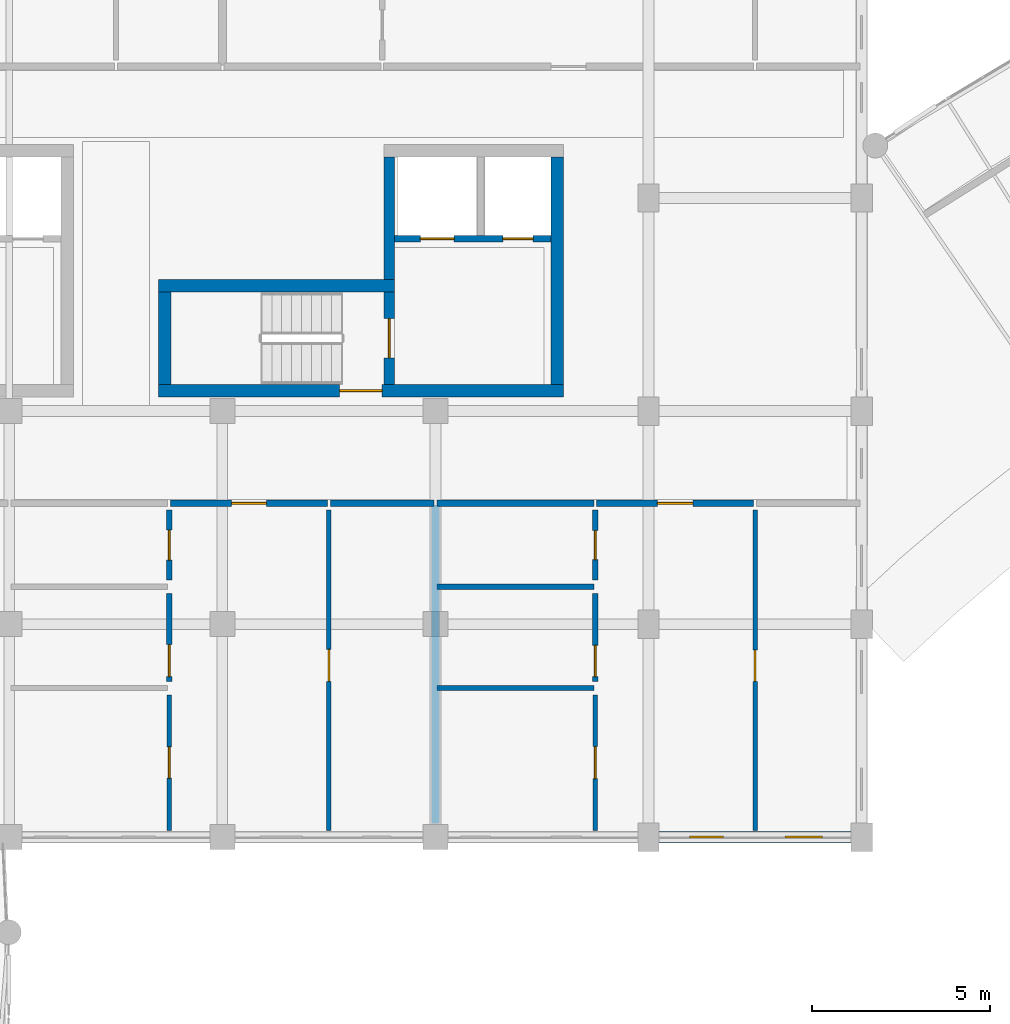
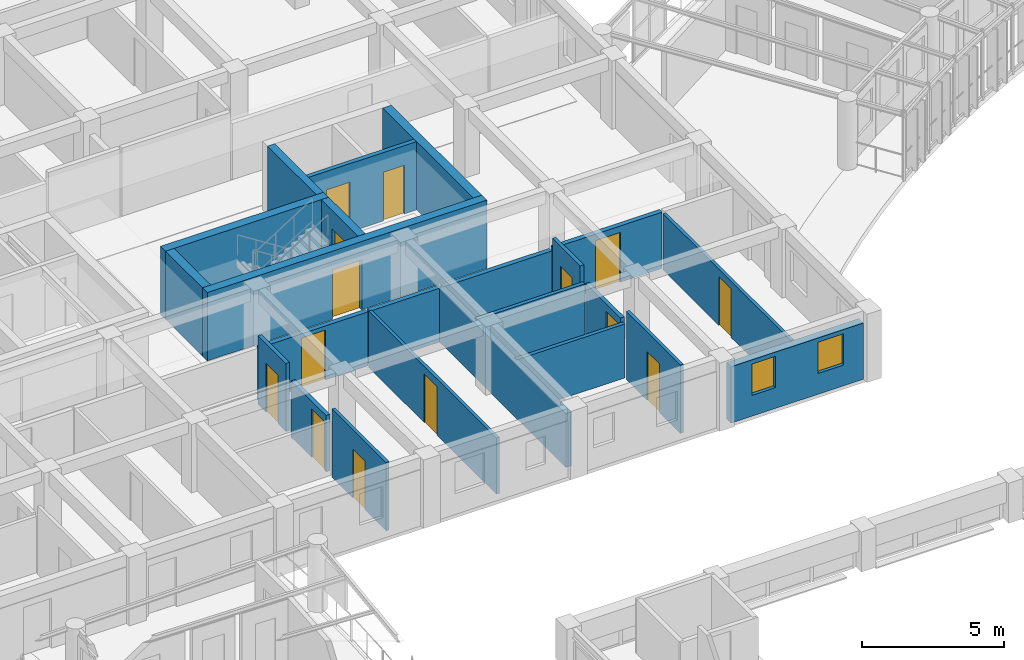
# One storey, part 103 of 137: 23 walls, 14 doors, 2 windows, 16 openings.
"""IFC4 building model written with IfcOpenShell, lengths in metres."""

from ifc_helpers import new_model, si_unit, direction, frame, frame_2d, origin, place, context, subcontext, project, spatial, rectangle, extrude, material, layer, layer_set, type_object, element, fill, save


model = new_model("IFC4")

# Units and contexts
model_context = context("Model", 3, precision=1e-05, world=origin(), true_north=direction((0.0, 1.0)))
body_context = subcontext(model_context, "Body", "Model", "MODEL_VIEW")
ifc_project = project(units=[si_unit("LENGTHUNIT", "METRE"), si_unit("AREAUNIT", "SQUARE_METRE"), si_unit("VOLUMEUNIT", "CUBIC_METRE"), si_unit("PLANEANGLEUNIT", "RADIAN"), si_unit("MASSUNIT", "GRAM", prefix="KILO"), si_unit("POWERUNIT", "WATT"), si_unit("THERMODYNAMICTEMPERATUREUNIT", "KELVIN")], contexts=[model_context])

# Site, building, storey
site_placement = place(None, origin())
site = spatial("IfcSite", under=ifc_project, at=site_placement, CompositionType="ELEMENT")
building_placement = place(site_placement, origin())
building = spatial("IfcBuilding", under=site, at=building_placement, Name="Ruvembo Vaulted Housing Court", CompositionType="ELEMENT")
storey_placement = place(building_placement, frame((0.0, 0.0, 4.5)))
storey = spatial("IfcBuildingStorey", under=building, at=storey_placement, Name="L01", CompositionType="ELEMENT", Elevation=4.5)

# Wall, opening, door
ifc_material_1 = material(Name="Concrete C35/45", Category="concrete")
ifc_layer_1 = layer(ifc_material_1, 0.300048828125, Name="Concrete C35/45")
ifc_layer_set_1 = layer_set([ifc_layer_1], Name="Concrete C35/45")
wall_type_1 = type_object("IfcWallType", Name="WL-CORE-300", PredefinedType="SHEAR", material=ifc_layer_set_1)
wall_1_placement = place(storey_placement, frame((70.699951171875, 90.75, 0.0), z_axis=(0.0, 0.0, 1.0), x_axis=(0.0, 1.0, 0.0)))
wall_1 = element("IfcWall", 1, at=wall_1_placement, inside=storey, type_object=wall_type_1, Name="Core B2 L01 Stair-Lobby Shear Wall", PredefinedType="SHEAR", context=body_context, shape_type="SweptSolid", body=[
    extrude(rectangle(XDim=2.60009765625, YDim=0.300048828125, at=frame_2d((1.300048828125, 0.0))), origin(), (0.0, 0.0, 1.0), 2.945068359375),
])
opening_1_placement = place(wall_1_placement, frame((0.75, 0.0, 0.0)))
opening_1 = element("IfcOpeningElement", 2, at=opening_1_placement, cuts=wall_1, Name="Opening SD2", PredefinedType="OPENING", context=body_context, shape_type="SweptSolid", body=[
    extrude(rectangle(XDim=1.10009765625, YDim=2.14990234375, at=frame_2d((0.550048828125, 1.074951171875))), frame((0.0, 0.159912109375, 0.0), z_axis=(0.0, -1.0, 0.0), x_axis=(1.0, 0.0, 0.0)), (0.0, 0.0, 1.0), 0.320068359375),
])
ifc_material_2 = material(Name="Galvanised Painted Steel", Category="steel")
door_type_1 = type_object("IfcDoorType", Name="DR-STAIR-1100x2150", OperationType="NOTDEFINED", PredefinedType="DOOR", material=ifc_material_2)
door_1_placement = place(opening_1_placement, origin())
door_1 = element("IfcDoor", 3, at=door_1_placement, inside=storey, type_object=door_type_1, Name="Stair ST-B2 L01 Fire Door", OperationType="SINGLE_SWING_LEFT", OverallHeight=2.14990234375, OverallWidth=1.10009765625, PredefinedType="DOOR", context=body_context, shape_type="SweptSolid", body=[
    extrude(rectangle(XDim=1.10009765625, YDim=2.14990234375, at=frame_2d((0.550048828125, 1.074951171875))), frame((0.0, 0.02490234375, 0.0), z_axis=(0.0, -1.0, 0.0), x_axis=(1.0, 0.0, 0.0)), (0.0, 0.0, 1.0), 0.050048828125),
])
fill(opening_1, door_1)

# Wall
wall_2_placement = place(storey_placement, frame((70.699951171875, 93.699951171875, 0.0), z_axis=(0.0, 0.0, 1.0), x_axis=(0.0, 1.0, 0.0)))
element("IfcWall", 4, at=wall_2_placement, inside=storey, type_object=wall_type_1, Name="Core B2 L01 Upper West Shear Wall", PredefinedType="SHEAR", context=body_context, shape_type="SweptSolid", body=[
    extrude(rectangle(XDim=3.449951171875, YDim=0.300048828125, at=frame_2d((1.72509765625, 0.0))), origin(), (0.0, 0.0, 1.0), 2.945068359375),
])

# Wall, opening, door
ifc_layer_2 = layer(ifc_material_1, 0.35009765625, Name="Concrete C35/45")
ifc_layer_set_2 = layer_set([ifc_layer_2], Name="Concrete C35/45")
wall_type_2 = type_object("IfcWallType", Name="WL-CORE-350", PredefinedType="SHEAR", material=ifc_layer_set_2)
wall_3_placement = place(storey_placement, frame((64.199951171875, 90.574951171875, 0.0), z_axis=(0.0, 0.0, 1.0), x_axis=(1.0, 0.0, 0.0)))
wall_3 = element("IfcWall", 5, at=wall_3_placement, inside=storey, type_object=wall_type_2, Name="Core B2 L01 South Shear Wall", PredefinedType="SHEAR", context=body_context, shape_type="SweptSolid", body=[
    extrude(rectangle(XDim=11.400146484375, YDim=0.35009765625, at=frame_2d((5.7001953125, 0.0))), origin(), (0.0, 0.0, 1.0), 2.945068359375),
])
opening_2_placement = place(wall_3_placement, frame((5.10009765625, 0.0, 0.0)))
opening_2 = element("IfcOpeningElement", 6, at=opening_2_placement, cuts=wall_3, Name="Opening LD3", PredefinedType="OPENING", context=body_context, shape_type="SweptSolid", body=[
    extrude(rectangle(XDim=1.199951171875, YDim=2.14990234375, at=frame_2d((0.60009765625, 1.074951171875))), frame((0.0, 0.18505859375, 0.0), z_axis=(0.0, -1.0, 0.0), x_axis=(1.0, 0.0, 0.0)), (0.0, 0.0, 1.0), 0.3701171875),
])
door_type_2 = type_object("IfcDoorType", Name="DR-LOB-1200x2150", OperationType="NOTDEFINED", PredefinedType="DOOR", material=ifc_material_2)
door_2_placement = place(opening_2_placement, origin())
door_2 = element("IfcDoor", 7, at=door_2_placement, inside=storey, type_object=door_type_2, Name="Core B2 L01 Lobby Fire Door", OperationType="SINGLE_SWING_RIGHT", OverallHeight=2.14990234375, OverallWidth=1.199951171875, PredefinedType="DOOR", context=body_context, shape_type="SweptSolid", body=[
    extrude(rectangle(XDim=1.199951171875, YDim=2.14990234375, at=frame_2d((0.60009765625, 1.074951171875))), frame((0.0, 0.02490234375, 0.0), z_axis=(0.0, -1.0, 0.0), x_axis=(1.0, 0.0, 0.0)), (0.0, 0.0, 1.0), 0.050048828125),
])
fill(opening_2, door_2)

# Walls
wall_4_placement = place(storey_placement, frame((70.85009765625, 93.52490234375, 0.0), z_axis=(0.0, 0.0, 1.0), x_axis=(-1.0, 0.0, 0.0)))
element("IfcWall", 8, at=wall_4_placement, inside=storey, type_object=wall_type_2, Name="Core B2 L01 Stair North Shear Wall", PredefinedType="SHEAR", context=body_context, shape_type="SweptSolid", body=[
    extrude(rectangle(XDim=6.650146484375, YDim=0.35009765625, at=frame_2d((3.3251953125, 0.0))), origin(), (0.0, 0.0, 1.0), 2.945068359375),
])
wall_5_placement = place(storey_placement, frame((64.375, 93.35009765625, 0.0), z_axis=(0.0, 0.0, 1.0), x_axis=(0.0, -1.0, 0.0)))
element("IfcWall", 9, at=wall_5_placement, inside=storey, type_object=wall_type_2, Name="Core B2 L01 Stair West Shear Wall", PredefinedType="SHEAR", context=body_context, shape_type="SweptSolid", body=[
    extrude(rectangle(XDim=2.60009765625, YDim=0.35009765625, at=frame_2d((1.300048828125, 0.0))), origin(), (0.0, 0.0, 1.0), 2.945068359375),
])
wall_6_placement = place(storey_placement, frame((75.425048828125, 90.75, 0.0), z_axis=(0.0, 0.0, 1.0), x_axis=(0.0, 1.0, 0.0)))
element("IfcWall", 10, at=wall_6_placement, inside=storey, type_object=wall_type_2, Name="Core B2 L01 East Shear Wall", PredefinedType="SHEAR", context=body_context, shape_type="SweptSolid", body=[
    extrude(rectangle(XDim=6.39990234375, YDim=0.35009765625, at=frame_2d((3.199951171875, 0.0))), origin(), (0.0, 0.0, 1.0), 2.945068359375),
])

# Wall, opening, door
ifc_material_3 = material(Name="Concrete Blockwork 190", Category="masonry")
ifc_layer_3 = layer(ifc_material_3, 0.18994140625, Name="Concrete Blockwork 190")
ifc_layer_set_3 = layer_set([ifc_layer_3], Name="Concrete Blockwork 190")
wall_type_3 = type_object("IfcWallType", Name="WL-CORR-190", PredefinedType="SOLIDWALL", material=ifc_layer_set_3)
wall_7_placement = place(storey_placement, frame((64.5400390625, 87.39990234375, 0.0), z_axis=(0.0, 0.0, 1.0), x_axis=(1.0, 0.0, 0.0)))
wall_7 = element("IfcWall", 11, at=wall_7_placement, inside=storey, type_object=wall_type_3, Name="L01 Flat B-L01-S2 Entrance WL-INT-L01-00238", PredefinedType="SOLIDWALL", context=body_context, shape_type="SweptSolid", body=[
    extrude(rectangle(XDim=4.419921875, YDim=0.18994140625, at=frame_2d((2.2099609375, 0.0))), origin(), (0.0, 0.0, 1.0), 2.326904296875),
])
opening_3_placement = place(wall_7_placement, frame((1.719970703125, 0.0, 0.0)))
opening_3 = element("IfcOpeningElement", 12, at=opening_3_placement, cuts=wall_7, Name="Opening FD2", PredefinedType="OPENING", context=body_context, shape_type="SweptSolid", body=[
    extrude(rectangle(XDim=0.97998046875, YDim=2.14990234375, at=frame_2d((0.489990234375, 1.074951171875))), frame((0.0, 0.10498046875, 0.0), z_axis=(0.0, -1.0, 0.0), x_axis=(1.0, 0.0, 0.0)), (0.0, 0.0, 1.0), 0.2099609375),
])
ifc_material_4 = material(Name="FSC Hardwood and Engineered Timber", Category="wood")
door_type_3 = type_object("IfcDoorType", Name="DR-FLAT-0980x2150", OperationType="NOTDEFINED", PredefinedType="DOOR", material=ifc_material_4)
door_3_placement = place(opening_3_placement, origin())
door_3 = element("IfcDoor", 13, at=door_3_placement, inside=storey, type_object=door_type_3, Name="L01 Flat B-L01-S2 Entrance Door DR-INT-L01-00118", OperationType="SINGLE_SWING_RIGHT", OverallHeight=2.14990234375, OverallWidth=0.97998046875, PredefinedType="DOOR", context=body_context, shape_type="SweptSolid", body=[
    extrude(rectangle(XDim=0.97998046875, YDim=2.14990234375, at=frame_2d((0.489990234375, 1.074951171875))), frame((0.0, 0.02490234375, 0.0), z_axis=(0.0, -1.0, 0.0), x_axis=(1.0, 0.0, 0.0)), (0.0, 0.0, 1.0), 0.050048828125),
])
fill(opening_3, door_3)

# Walls
wall_8_placement = place(storey_placement, frame((69.0400390625, 87.39990234375, 0.0), z_axis=(0.0, 0.0, 1.0), x_axis=(1.0, 0.0, 0.0)))
element("IfcWall", 14, at=wall_8_placement, inside=storey, type_object=wall_type_3, Name="L01 Flat B-L01-S2 Corridor Wall 2 WL-INT-L01-00244", PredefinedType="SOLIDWALL", context=body_context, shape_type="SweptSolid", body=[
    extrude(rectangle(XDim=2.919921875, YDim=0.18994140625, at=frame_2d((1.4599609375, 0.0))), origin(), (0.0, 0.0, 1.0), 2.326904296875),
])
wall_9_placement = place(storey_placement, frame((72.0400390625, 87.39990234375, 0.0), z_axis=(0.0, 0.0, 1.0), x_axis=(1.0, 0.0, 0.0)))
element("IfcWall", 15, at=wall_9_placement, inside=storey, type_object=wall_type_3, Name="L01 Flat B-L01-S3 Corridor Wall WL-INT-L01-00246", PredefinedType="SOLIDWALL", context=body_context, shape_type="SweptSolid", body=[
    extrude(rectangle(XDim=4.419921875, YDim=0.18994140625, at=frame_2d((2.2099609375, 0.0))), origin(), (0.0, 0.0, 1.0), 2.326904296875),
])

# Wall, opening, door
wall_10_placement = place(storey_placement, frame((76.5400390625, 87.39990234375, 0.0), z_axis=(0.0, 0.0, 1.0), x_axis=(1.0, 0.0, 0.0)))
wall_10 = element("IfcWall", 16, at=wall_10_placement, inside=storey, type_object=wall_type_3, Name="L01 Flat B-L01-S3 Entrance WL-INT-L01-00247", PredefinedType="SOLIDWALL", context=body_context, shape_type="SweptSolid", body=[
    extrude(rectangle(XDim=4.419921875, YDim=0.18994140625, at=frame_2d((2.2099609375, 0.0))), origin(), (0.0, 0.0, 1.0), 2.427001953125),
])
opening_4_placement = place(wall_10_placement, frame((1.7099609375, 0.0, 0.0)))
opening_4 = element("IfcOpeningElement", 17, at=opening_4_placement, cuts=wall_10, Name="Opening FD1", PredefinedType="OPENING", context=body_context, shape_type="SweptSolid", body=[
    extrude(rectangle(XDim=1.0, YDim=2.14990234375, at=frame_2d((0.5, 1.074951171875))), frame((0.0, 0.10498046875, 0.0), z_axis=(0.0, -1.0, 0.0), x_axis=(1.0, 0.0, 0.0)), (0.0, 0.0, 1.0), 0.2099609375),
])
door_type_4 = type_object("IfcDoorType", Name="DR-FLAT-1000x2150", OperationType="NOTDEFINED", PredefinedType="DOOR", material=ifc_material_4)
door_4_placement = place(opening_4_placement, origin())
door_4 = element("IfcDoor", 18, at=door_4_placement, inside=storey, type_object=door_type_4, Name="L01 Flat B-L01-S3 Entrance Door DR-INT-L01-00123", OperationType="SINGLE_SWING_LEFT", OverallHeight=2.14990234375, OverallWidth=1.0, PredefinedType="DOOR", context=body_context, shape_type="SweptSolid", body=[
    extrude(rectangle(XDim=1.0, YDim=2.14990234375, at=frame_2d((0.5, 1.074951171875))), frame((0.0, 0.02490234375, 0.0), z_axis=(0.0, -1.0, 0.0), x_axis=(1.0, 0.0, 0.0)), (0.0, 0.0, 1.0), 0.050048828125),
])
fill(opening_4, door_4)

# Wall
ifc_material_5 = material(Name="Acoustic Masonry Demising 230", Category="masonry")
ifc_layer_4 = layer(ifc_material_5, 0.22998046875, Name="Acoustic Masonry Demising 230")
ifc_layer_set_4 = layer_set([ifc_layer_4], Name="Acoustic Masonry Demising 230")
wall_type_4 = type_object("IfcWallType", Name="WL-DEM-230", PredefinedType="SOLIDWALL", material=ifc_layer_set_4)
wall_11_placement = place(storey_placement, frame((72.0, 78.389892578125, 0.0), z_axis=(0.0, 0.0, 1.0), x_axis=(0.0, 1.0, 0.0)))
element("IfcWall", 19, at=wall_11_placement, inside=storey, type_object=wall_type_4, Name="L01 Demising B-L01-S2 WL-INT-L01-00236", PredefinedType="SOLIDWALL", context=body_context, shape_type="SweptSolid", body=[
    extrude(rectangle(XDim=8.97021484375, YDim=0.22998046875, at=frame_2d((4.485107421875, 0.0))), origin(), (0.0, 0.0, 1.0), 2.326904296875),
])

# Wall, openings, windows
ifc_material_6 = material(Name="Rendered Masonry 320", Category="masonry")
ifc_layer_5 = layer(ifc_material_6, 0.320068359375, Name="Rendered Masonry 320")
ifc_layer_set_5 = layer_set([ifc_layer_5], Name="Rendered Masonry 320")
wall_type_5 = type_object("IfcWallType", Name="WL-EXT-320", PredefinedType="STANDARD", material=ifc_layer_set_5)
wall_12_placement = place(storey_placement, frame((78.300048828125, 78.0, 0.0), z_axis=(0.0, 0.0, 1.0), x_axis=(1.0, 0.0, 0.0)))
wall_12 = element("IfcWall", 20, at=wall_12_placement, inside=storey, type_object=wall_type_5, Name="Block B L01 Exterior Wall COURTYARD #6", PredefinedType="STANDARD", context=body_context, shape_type="SweptSolid", body=[
    extrude(rectangle(XDim=5.39990234375, YDim=0.320068359375, at=frame_2d((2.699951171875, 0.0))), origin(), (0.0, 0.0, 1.0), 2.427001953125),
])
opening_5_placement = place(wall_12_placement, frame((0.85498046875, 0.0, 0.89990234375)))
opening_5 = element("IfcOpeningElement", 21, at=opening_5_placement, cuts=wall_12, Name="Opening W07", PredefinedType="OPENING", context=body_context, shape_type="SweptSolid", body=[
    extrude(rectangle(XDim=0.949951171875, YDim=1.35009765625, at=frame_2d((0.47509765625, 0.675048828125))), frame((0.0, 0.169921875, 0.0), z_axis=(0.0, -1.0, 0.0), x_axis=(1.0, 0.0, 0.0)), (0.0, 0.0, 1.0), 0.340087890625),
])
opening_6_placement = place(wall_12_placement, frame((3.544921875, 0.0, 0.89990234375)))
opening_6 = element("IfcOpeningElement", 22, at=opening_6_placement, cuts=wall_12, Name="Opening W09", PredefinedType="OPENING", context=body_context, shape_type="SweptSolid", body=[
    extrude(rectangle(XDim=1.050048828125, YDim=1.35009765625, at=frame_2d((0.52490234375, 0.675048828125))), frame((0.0, 0.169921875, 0.0), z_axis=(0.0, -1.0, 0.0), x_axis=(1.0, 0.0, 0.0)), (0.0, 0.0, 1.0), 0.340087890625),
])
ifc_material_7 = material(Name="Double Solar-Control Glazing in Aluminium Frame", Category="aluminium")
window_type_1 = type_object("IfcWindowType", Name="WIN-0950x1350", PartitioningType="SINGLE_PANEL", PredefinedType="WINDOW", material=ifc_material_7)
window_1_placement = place(opening_5_placement, origin())
window_1 = element("IfcWindow", 23, at=window_1_placement, inside=storey, type_object=window_type_1, Name="Block B L01 Window #651", OverallHeight=1.35009765625, OverallWidth=0.949951171875, PartitioningType="SINGLE_PANEL", PredefinedType="WINDOW", context=body_context, shape_type="SweptSolid", body=[
    extrude(rectangle(XDim=0.949951171875, YDim=1.35009765625, at=frame_2d((0.47509765625, 0.675048828125))), frame((0.0, 0.030029296875, 0.0), z_axis=(0.0, -1.0, 0.0), x_axis=(1.0, 0.0, 0.0)), (0.0, 0.0, 1.0), 0.06005859375),
])
fill(opening_5, window_1)
window_type_2 = type_object("IfcWindowType", Name="WIN-1050x1350", PartitioningType="SINGLE_PANEL", PredefinedType="WINDOW", material=ifc_material_7)
window_2_placement = place(opening_6_placement, origin())
window_2 = element("IfcWindow", 24, at=window_2_placement, inside=storey, type_object=window_type_2, Name="Block B L01 Window #652", OverallHeight=1.35009765625, OverallWidth=1.050048828125, PartitioningType="SINGLE_PANEL", PredefinedType="WINDOW", context=body_context, shape_type="SweptSolid", body=[
    extrude(rectangle(XDim=1.050048828125, YDim=1.35009765625, at=frame_2d((0.52490234375, 0.675048828125))), frame((0.0, 0.030029296875, 0.0), z_axis=(0.0, -1.0, 0.0), x_axis=(1.0, 0.0, 0.0)), (0.0, 0.0, 1.0), 0.06005859375),
])
fill(opening_6, window_2)

# Wall, opening, door
ifc_material_8 = material(Name="Plasterboard Stud Partition 125", Category="gypsum")
ifc_layer_6 = layer(ifc_material_8, 0.125, Name="Plasterboard Stud Partition 125")
ifc_layer_set_6 = layer_set([ifc_layer_6], Name="Plasterboard Stud Partition 125")
wall_type_6 = type_object("IfcWallType", Name="WL-PART-125", PredefinedType="PARTITIONING", material=ifc_layer_set_6)
wall_13_placement = place(storey_placement, frame((64.5, 78.18994140625, 0.0), z_axis=(0.0, 0.0, 1.0), x_axis=(0.0, 1.0, 0.0)))
wall_13 = element("IfcWall", 25, at=wall_13_placement, inside=storey, type_object=wall_type_6, Name="L01 Flat B-L01-S2 Bedroom 1 WL-INT-L01-00239", PredefinedType="PARTITIONING", context=body_context, shape_type="SweptSolid", body=[
    extrude(rectangle(XDim=3.820068359375, YDim=0.125, at=frame_2d((1.91015625, 0.0))), origin(), (0.0, 0.0, 1.0), 2.945068359375),
])
opening_7_placement = place(wall_13_placement, frame((1.469970703125, 0.0, 0.0)))
opening_7 = element("IfcOpeningElement", 26, at=opening_7_placement, cuts=wall_13, Name="Opening ID3", PredefinedType="OPENING", context=body_context, shape_type="SweptSolid", body=[
    extrude(rectangle(XDim=0.8798828125, YDim=2.10009765625, at=frame_2d((0.43994140625, 1.050048828125))), frame((0.0, 0.072509765625, 0.0), z_axis=(0.0, -1.0, 0.0), x_axis=(1.0, 0.0, 0.0)), (0.0, 0.0, 1.0), 0.14501953125),
])
door_type_5 = type_object("IfcDoorType", Name="DR-ROOM-0880x2100", OperationType="NOTDEFINED", PredefinedType="DOOR", material=ifc_material_4)
door_5_placement = place(opening_7_placement, origin())
door_5 = element("IfcDoor", 27, at=door_5_placement, inside=storey, type_object=door_type_5, Name="L01 Flat B-L01-S2 Bedroom 1 Door DR-INT-L01-00119", OperationType="SINGLE_SWING_LEFT", OverallHeight=2.10009765625, OverallWidth=0.8798828125, PredefinedType="DOOR", context=body_context, shape_type="SweptSolid", body=[
    extrude(rectangle(XDim=0.8798828125, YDim=2.10009765625, at=frame_2d((0.43994140625, 1.050048828125))), frame((0.0, 0.02490234375, 0.0), z_axis=(0.0, -1.0, 0.0), x_axis=(1.0, 0.0, 0.0)), (0.0, 0.0, 1.0), 0.050048828125),
])
fill(opening_7, door_5)

wall_14_placement = place(storey_placement, frame((69.0, 78.18994140625, 0.0), z_axis=(0.0, 0.0, 1.0), x_axis=(0.0, 1.0, 0.0)))
wall_14 = element("IfcWall", 28, at=wall_14_placement, inside=storey, type_object=wall_type_6, Name="L01 Flat B-L01-S2 Bedroom 2 WL-INT-L01-00245", PredefinedType="PARTITIONING", context=body_context, shape_type="SweptSolid", body=[
    extrude(rectangle(XDim=9.02001953125, YDim=0.125, at=frame_2d((4.510009765625, 0.0))), origin(), (0.0, 0.0, 1.0), 2.427001953125),
])
opening_8_placement = place(wall_14_placement, frame((4.199951171875, 0.0, 0.0)))
opening_8 = element("IfcOpeningElement", 29, at=opening_8_placement, cuts=wall_14, Name="Opening ID1", PredefinedType="OPENING", context=body_context, shape_type="SweptSolid", body=[
    extrude(rectangle(XDim=0.89990234375, YDim=2.10009765625, at=frame_2d((0.449951171875, 1.050048828125))), frame((0.0, 0.072509765625, 0.0), z_axis=(0.0, -1.0, 0.0), x_axis=(1.0, 0.0, 0.0)), (0.0, 0.0, 1.0), 0.14501953125),
])
door_type_6 = type_object("IfcDoorType", Name="DR-ROOM-0900x2100", OperationType="NOTDEFINED", PredefinedType="DOOR", material=ifc_material_4)
door_6_placement = place(opening_8_placement, origin())
door_6 = element("IfcDoor", 30, at=door_6_placement, inside=storey, type_object=door_type_6, Name="L01 Flat B-L01-S2 Bedroom 2 Door DR-INT-L01-00122", OperationType="SINGLE_SWING_RIGHT", OverallHeight=2.10009765625, OverallWidth=0.89990234375, PredefinedType="DOOR", context=body_context, shape_type="SweptSolid", body=[
    extrude(rectangle(XDim=0.89990234375, YDim=2.10009765625, at=frame_2d((0.449951171875, 1.050048828125))), frame((0.0, 0.02490234375, 0.0), z_axis=(0.0, -1.0, 0.0), x_axis=(1.0, 0.0, 0.0)), (0.0, 0.0, 1.0), 0.050048828125),
])
fill(opening_8, door_6)

wall_15_placement = place(storey_placement, frame((76.5, 78.18994140625, 0.0), z_axis=(0.0, 0.0, 1.0), x_axis=(0.0, 1.0, 0.0)))
wall_15 = element("IfcWall", 31, at=wall_15_placement, inside=storey, type_object=wall_type_6, Name="L01 Flat B-L01-S3 Bedroom 1 WL-INT-L01-00248", PredefinedType="PARTITIONING", context=body_context, shape_type="SweptSolid", body=[
    extrude(rectangle(XDim=3.820068359375, YDim=0.125, at=frame_2d((1.91015625, 0.0))), origin(), (0.0, 0.0, 1.0), 2.945068359375),
])
opening_9_placement = place(wall_15_placement, frame((1.4599609375, 0.0, 0.0)))
opening_9 = element("IfcOpeningElement", 32, at=opening_9_placement, cuts=wall_15, Name="Opening ID1", PredefinedType="OPENING", context=body_context, shape_type="SweptSolid", body=[
    extrude(rectangle(XDim=0.89990234375, YDim=2.10009765625, at=frame_2d((0.449951171875, 1.050048828125))), frame((0.0, 0.072509765625, 0.0), z_axis=(0.0, -1.0, 0.0), x_axis=(1.0, 0.0, 0.0)), (0.0, 0.0, 1.0), 0.14501953125),
])
door_7_placement = place(opening_9_placement, origin())
door_7 = element("IfcDoor", 33, at=door_7_placement, inside=storey, type_object=door_type_6, Name="L01 Flat B-L01-S3 Bedroom 1 Door DR-INT-L01-00124", OperationType="SINGLE_SWING_RIGHT", OverallHeight=2.10009765625, OverallWidth=0.89990234375, PredefinedType="DOOR", context=body_context, shape_type="SweptSolid", body=[
    extrude(rectangle(XDim=0.89990234375, YDim=2.10009765625, at=frame_2d((0.449951171875, 1.050048828125))), frame((0.0, 0.02490234375, 0.0), z_axis=(0.0, -1.0, 0.0), x_axis=(1.0, 0.0, 0.0)), (0.0, 0.0, 1.0), 0.050048828125),
])
fill(opening_9, door_7)

wall_16_placement = place(storey_placement, frame((81.0, 78.18994140625, 0.0), z_axis=(0.0, 0.0, 1.0), x_axis=(0.0, 1.0, 0.0)))
wall_16 = element("IfcWall", 34, at=wall_16_placement, inside=storey, type_object=wall_type_6, Name="L01 Flat B-L01-S3 Bedroom 2 WL-INT-L01-00254", PredefinedType="PARTITIONING", context=body_context, shape_type="SweptSolid", body=[
    extrude(rectangle(XDim=9.02001953125, YDim=0.125, at=frame_2d((4.510009765625, 0.0))), origin(), (0.0, 0.0, 1.0), 2.427001953125),
])
opening_10_placement = place(wall_16_placement, frame((4.199951171875, 0.0, 0.0)))
opening_10 = element("IfcOpeningElement", 35, at=opening_10_placement, cuts=wall_16, Name="Opening ID3", PredefinedType="OPENING", context=body_context, shape_type="SweptSolid", body=[
    extrude(rectangle(XDim=0.8798828125, YDim=2.10009765625, at=frame_2d((0.43994140625, 1.050048828125))), frame((0.0, 0.072509765625, 0.0), z_axis=(0.0, -1.0, 0.0), x_axis=(1.0, 0.0, 0.0)), (0.0, 0.0, 1.0), 0.14501953125),
])
door_8_placement = place(opening_10_placement, origin())
door_8 = element("IfcDoor", 36, at=door_8_placement, inside=storey, type_object=door_type_5, Name="L01 Flat B-L01-S3 Bedroom 2 Door DR-INT-L01-00127", OperationType="SINGLE_SWING_LEFT", OverallHeight=2.10009765625, OverallWidth=0.8798828125, PredefinedType="DOOR", context=body_context, shape_type="SweptSolid", body=[
    extrude(rectangle(XDim=0.8798828125, YDim=2.10009765625, at=frame_2d((0.43994140625, 1.050048828125))), frame((0.0, 0.02490234375, 0.0), z_axis=(0.0, -1.0, 0.0), x_axis=(1.0, 0.0, 0.0)), (0.0, 0.0, 1.0), 0.050048828125),
])
fill(opening_10, door_8)

ifc_material_9 = material(Name="Moisture-Resistant Wet Partition 150", Category="gypsum")
ifc_layer_7 = layer(ifc_material_9, 0.14990234375, Name="Moisture-Resistant Wet Partition 150")
ifc_layer_set_7 = layer_set([ifc_layer_7], Name="Moisture-Resistant Wet Partition 150")
wall_type_7 = type_object("IfcWallType", Name="WL-PART-150", PredefinedType="PARTITIONING", material=ifc_layer_set_7)
wall_17_placement = place(storey_placement, frame((64.5, 85.239990234375, 0.0), z_axis=(0.0, 0.0, 1.0), x_axis=(0.0, 1.0, 0.0)))
wall_17 = element("IfcWall", 37, at=wall_17_placement, inside=storey, type_object=wall_type_7, Name="L01 Flat B-L01-S2 Bathroom WL-INT-L01-00241", PredefinedType="PARTITIONING", context=body_context, shape_type="SweptSolid", body=[
    extrude(rectangle(XDim=1.969970703125, YDim=0.14990234375, at=frame_2d((0.98486328125, 0.0))), origin(), (0.0, 0.0, 1.0), 2.945068359375),
])
opening_11_placement = place(wall_17_placement, frame((0.56005859375, 0.0, 0.0)))
opening_11 = element("IfcOpeningElement", 38, at=opening_11_placement, cuts=wall_17, Name="Opening ID2", PredefinedType="OPENING", context=body_context, shape_type="SweptSolid", body=[
    extrude(rectangle(XDim=0.85009765625, YDim=2.10009765625, at=frame_2d((0.425048828125, 1.050048828125))), frame((0.0, 0.0849609375, 0.0), z_axis=(0.0, -1.0, 0.0), x_axis=(1.0, 0.0, 0.0)), (0.0, 0.0, 1.0), 0.169921875),
])
door_type_7 = type_object("IfcDoorType", Name="DR-WET-0850x2100", OperationType="NOTDEFINED", PredefinedType="DOOR", material=ifc_material_4)
door_9_placement = place(opening_11_placement, origin())
door_9 = element("IfcDoor", 39, at=door_9_placement, inside=storey, type_object=door_type_7, Name="L01 Flat B-L01-S2 Bathroom Door DR-INT-L01-00121", OperationType="SINGLE_SWING_LEFT", OverallHeight=2.10009765625, OverallWidth=0.85009765625, PredefinedType="DOOR", context=body_context, shape_type="SweptSolid", body=[
    extrude(rectangle(XDim=0.85009765625, YDim=2.10009765625, at=frame_2d((0.425048828125, 1.050048828125))), frame((0.0, 0.02490234375, 0.0), z_axis=(0.0, -1.0, 0.0), x_axis=(1.0, 0.0, 0.0)), (0.0, 0.0, 1.0), 0.050048828125),
])
fill(opening_11, door_9)

wall_18_placement = place(storey_placement, frame((76.5, 85.239990234375, 0.0), z_axis=(0.0, 0.0, 1.0), x_axis=(0.0, 1.0, 0.0)))
wall_18 = element("IfcWall", 40, at=wall_18_placement, inside=storey, type_object=wall_type_7, Name="L01 Flat B-L01-S3 Bathroom WL-INT-L01-00250", PredefinedType="PARTITIONING", context=body_context, shape_type="SweptSolid", body=[
    extrude(rectangle(XDim=1.969970703125, YDim=0.14990234375, at=frame_2d((0.98486328125, 0.0))), origin(), (0.0, 0.0, 1.0), 2.945068359375),
])
opening_12_placement = place(wall_18_placement, frame((0.574951171875, 0.0, 0.0)))
opening_12 = element("IfcOpeningElement", 41, at=opening_12_placement, cuts=wall_18, Name="Opening ID4", PredefinedType="OPENING", context=body_context, shape_type="SweptSolid", body=[
    extrude(rectangle(XDim=0.820068359375, YDim=2.080078125, at=frame_2d((0.41015625, 1.0400390625))), frame((0.0, 0.0849609375, 0.0), z_axis=(0.0, -1.0, 0.0), x_axis=(1.0, 0.0, 0.0)), (0.0, 0.0, 1.0), 0.169921875),
])
door_type_8 = type_object("IfcDoorType", Name="DR-WET-0820x2080", OperationType="NOTDEFINED", PredefinedType="DOOR", material=ifc_material_4)
door_10_placement = place(opening_12_placement, origin())
door_10 = element("IfcDoor", 42, at=door_10_placement, inside=storey, type_object=door_type_8, Name="L01 Flat B-L01-S3 Bathroom Door DR-INT-L01-00126", OperationType="SINGLE_SWING_RIGHT", OverallHeight=2.080078125, OverallWidth=0.820068359375, PredefinedType="DOOR", context=body_context, shape_type="SweptSolid", body=[
    extrude(rectangle(XDim=0.820068359375, YDim=2.080078125, at=frame_2d((0.41015625, 1.0400390625))), frame((0.0, 0.02490234375, 0.0), z_axis=(0.0, -1.0, 0.0), x_axis=(1.0, 0.0, 0.0)), (0.0, 0.0, 1.0), 0.050048828125),
])
fill(opening_12, door_10)

# Walls
for number, where, z_axis, x_axis, name in (
    (43, (72.0400390625, 82.199951171875, 0.0), (0.0, 0.0, 1.0), (1.0, 0.0, 0.0), "L01 Flat B-L01-S3 Wet Wall 1 WL-INT-L01-00251"),
    (44, (72.0400390625, 85.050048828125, 0.0), (0.0, 0.0, 1.0), (1.0, 0.0, 0.0), "L01 Flat B-L01-S3 Wet Wall 2 WL-INT-L01-00252"),
):
    element("IfcWall", number, at=place(storey_placement, frame(where, z_axis=z_axis, x_axis=x_axis)), inside=storey, type_object=wall_type_7, Name=name, PredefinedType="PARTITIONING", context=body_context, shape_type="SweptSolid", body=[
        extrude(rectangle(XDim=4.419921875, YDim=0.14990234375, at=frame_2d((2.2099609375, 0.0))), origin(), (0.0, 0.0, 1.0), 2.326904296875),
    ])

# Wall, opening, door
ifc_material_10 = material(Name="Acoustic Service Chase Wall 160", Category="gypsum")
ifc_layer_8 = layer(ifc_material_10, 0.159912109375, Name="Acoustic Service Chase Wall 160")
ifc_layer_set_8 = layer_set([ifc_layer_8], Name="Acoustic Service Chase Wall 160")
wall_type_8 = type_object("IfcWallType", Name="WL-PLUMB-160", PredefinedType="PLUMBINGWALL", material=ifc_layer_set_8)
wall_19_placement = place(storey_placement, frame((64.5, 82.389892578125, 0.0), z_axis=(0.0, 0.0, 1.0), x_axis=(0.0, 1.0, 0.0)))
wall_19 = element("IfcWall", 45, at=wall_19_placement, inside=storey, type_object=wall_type_8, Name="L01 Flat B-L01-S2 Kitchen WL-INT-L01-00240", PredefinedType="PLUMBINGWALL", context=body_context, shape_type="SweptSolid", body=[
    extrude(rectangle(XDim=2.47021484375, YDim=0.159912109375, at=frame_2d((1.235107421875, 0.0))), origin(), (0.0, 0.0, 1.0), 2.427001953125),
])
opening_13_placement = place(wall_19_placement, frame((0.1298828125, 0.0, 0.0)))
opening_13 = element("IfcOpeningElement", 46, at=opening_13_placement, cuts=wall_19, Name="Opening ID1", PredefinedType="OPENING", context=body_context, shape_type="SweptSolid", body=[
    extrude(rectangle(XDim=0.89990234375, YDim=2.10009765625, at=frame_2d((0.449951171875, 1.050048828125))), frame((0.0, 0.08984375, 0.0), z_axis=(0.0, -1.0, 0.0), x_axis=(1.0, 0.0, 0.0)), (0.0, 0.0, 1.0), 0.179931640625),
])
door_11_placement = place(opening_13_placement, origin())
door_11 = element("IfcDoor", 47, at=door_11_placement, inside=storey, type_object=door_type_6, Name="L01 Flat B-L01-S2 Kitchen Door DR-INT-L01-00120", OperationType="SINGLE_SWING_RIGHT", OverallHeight=2.10009765625, OverallWidth=0.89990234375, PredefinedType="DOOR", context=body_context, shape_type="SweptSolid", body=[
    extrude(rectangle(XDim=0.89990234375, YDim=2.10009765625, at=frame_2d((0.449951171875, 1.050048828125))), frame((0.0, 0.02490234375, 0.0), z_axis=(0.0, -1.0, 0.0), x_axis=(1.0, 0.0, 0.0)), (0.0, 0.0, 1.0), 0.050048828125),
])
fill(opening_13, door_11)

wall_20_placement = place(storey_placement, frame((76.5, 82.389892578125, 0.0), z_axis=(0.0, 0.0, 1.0), x_axis=(0.0, 1.0, 0.0)))
wall_20 = element("IfcWall", 48, at=wall_20_placement, inside=storey, type_object=wall_type_8, Name="L01 Flat B-L01-S3 Kitchen WL-INT-L01-00249", PredefinedType="PLUMBINGWALL", context=body_context, shape_type="SweptSolid", body=[
    extrude(rectangle(XDim=2.47021484375, YDim=0.159912109375, at=frame_2d((1.235107421875, 0.0))), origin(), (0.0, 0.0, 1.0), 2.427001953125),
])
opening_14_placement = place(wall_20_placement, frame((0.1298828125, 0.0, 0.0)))
opening_14 = element("IfcOpeningElement", 49, at=opening_14_placement, cuts=wall_20, Name="Opening ID3", PredefinedType="OPENING", context=body_context, shape_type="SweptSolid", body=[
    extrude(rectangle(XDim=0.8798828125, YDim=2.10009765625, at=frame_2d((0.43994140625, 1.050048828125))), frame((0.0, 0.08984375, 0.0), z_axis=(0.0, -1.0, 0.0), x_axis=(1.0, 0.0, 0.0)), (0.0, 0.0, 1.0), 0.179931640625),
])
door_12_placement = place(opening_14_placement, origin())
door_12 = element("IfcDoor", 50, at=door_12_placement, inside=storey, type_object=door_type_5, Name="L01 Flat B-L01-S3 Kitchen Door DR-INT-L01-00125", OperationType="SINGLE_SWING_LEFT", OverallHeight=2.10009765625, OverallWidth=0.8798828125, PredefinedType="DOOR", context=body_context, shape_type="SweptSolid", body=[
    extrude(rectangle(XDim=0.8798828125, YDim=2.10009765625, at=frame_2d((0.43994140625, 1.050048828125))), frame((0.0, 0.02490234375, 0.0), z_axis=(0.0, -1.0, 0.0), x_axis=(1.0, 0.0, 0.0)), (0.0, 0.0, 1.0), 0.050048828125),
])
fill(opening_14, door_12)

# Wall, openings, doors
ifc_material_11 = material(Name="Fire-Rated Masonry Shaft 180", Category="masonry")
ifc_layer_9 = layer(ifc_material_11, 0.179931640625, Name="Fire-Rated Masonry Shaft 180")
ifc_layer_set_9 = layer_set([ifc_layer_9], Name="Fire-Rated Masonry Shaft 180")
wall_type_9 = type_object("IfcWallType", Name="WL-SHAFT-180", PredefinedType="SOLIDWALL", material=ifc_layer_set_9)
wall_21_placement = place(storey_placement, frame((70.85009765625, 94.85009765625, 0.0), z_axis=(0.0, 0.0, 1.0), x_axis=(1.0, 0.0, 0.0)))
wall_21 = element("IfcWall", 51, at=wall_21_placement, inside=storey, type_object=wall_type_9, Name="Core B2 L01 Lift and Riser Front Wall", PredefinedType="SOLIDWALL", context=body_context, shape_type="SweptSolid", body=[
    extrude(rectangle(XDim=4.39990234375, YDim=0.179931640625, at=frame_2d((2.199951171875, 0.0))), origin(), (0.0, 0.0, 1.0), 2.945068359375),
])
opening_15_placement = place(wall_21_placement, frame((0.72509765625, 0.0, 0.0)))
opening_15 = element("IfcOpeningElement", 52, at=opening_15_placement, cuts=wall_21, Name="Opening LD-LP-B2-L01", PredefinedType="OPENING", context=body_context, shape_type="SweptSolid", body=[
    extrude(rectangle(XDim=0.949951171875, YDim=2.14990234375, at=frame_2d((0.47509765625, 1.074951171875))), frame((0.0, 0.099853515625, 0.0), z_axis=(0.0, -1.0, 0.0), x_axis=(1.0, 0.0, 0.0)), (0.0, 0.0, 1.0), 0.199951171875),
])
opening_16_placement = place(wall_21_placement, frame((3.050048828125, 0.0, 0.0)))
opening_16 = element("IfcOpeningElement", 53, at=opening_16_placement, cuts=wall_21, Name="Opening RD1", PredefinedType="OPENING", context=body_context, shape_type="SweptSolid", body=[
    extrude(rectangle(XDim=0.85009765625, YDim=2.10009765625, at=frame_2d((0.425048828125, 1.050048828125))), frame((0.0, 0.099853515625, 0.0), z_axis=(0.0, -1.0, 0.0), x_axis=(1.0, 0.0, 0.0)), (0.0, 0.0, 1.0), 0.199951171875),
])
ifc_material_12 = material(Name="Brushed Stainless Steel 304", Category="steel")
door_type_9 = type_object("IfcDoorType", Name="DR-LIFT-0950x2150", OperationType="NOTDEFINED", PredefinedType="DOOR", material=ifc_material_12)
door_13_placement = place(opening_15_placement, origin())
door_13 = element("IfcDoor", 54, at=door_13_placement, inside=storey, type_object=door_type_9, Name="Lift LP-B2 L01 Sliding Landing Door", OperationType="SLIDING_TO_LEFT", OverallHeight=2.14990234375, OverallWidth=0.949951171875, PredefinedType="DOOR", context=body_context, shape_type="SweptSolid", body=[
    extrude(rectangle(XDim=0.949951171875, YDim=2.14990234375, at=frame_2d((0.47509765625, 1.074951171875))), frame((0.0, 0.02490234375, 0.0), z_axis=(0.0, -1.0, 0.0), x_axis=(1.0, 0.0, 0.0)), (0.0, 0.0, 1.0), 0.050048828125),
])
fill(opening_15, door_13)
door_type_10 = type_object("IfcDoorType", Name="DR-RISER-0850x2100", OperationType="NOTDEFINED", PredefinedType="DOOR", material=ifc_material_2)
door_14_placement = place(opening_16_placement, frame((0.85009765625, 0.0, 0.0), z_axis=(0.0, 0.0, 1.0), x_axis=(-1.0, 0.0, 0.0)))
door_14 = element("IfcDoor", 55, at=door_14_placement, inside=storey, type_object=door_type_10, Name="Core B2 L01 Service Riser Door", OperationType="SINGLE_SWING_RIGHT", OverallHeight=2.10009765625, OverallWidth=0.85009765625, PredefinedType="DOOR", context=body_context, shape_type="SweptSolid", body=[
    extrude(rectangle(XDim=0.85009765625, YDim=2.10009765625, at=frame_2d((0.425048828125, 1.050048828125))), frame((0.0, 0.02490234375, 0.0), z_axis=(0.0, -1.0, 0.0), x_axis=(1.0, 0.0, 0.0)), (0.0, 0.0, 1.0), 0.050048828125),
])
fill(opening_16, door_14)

save(model, "model.ifc")
